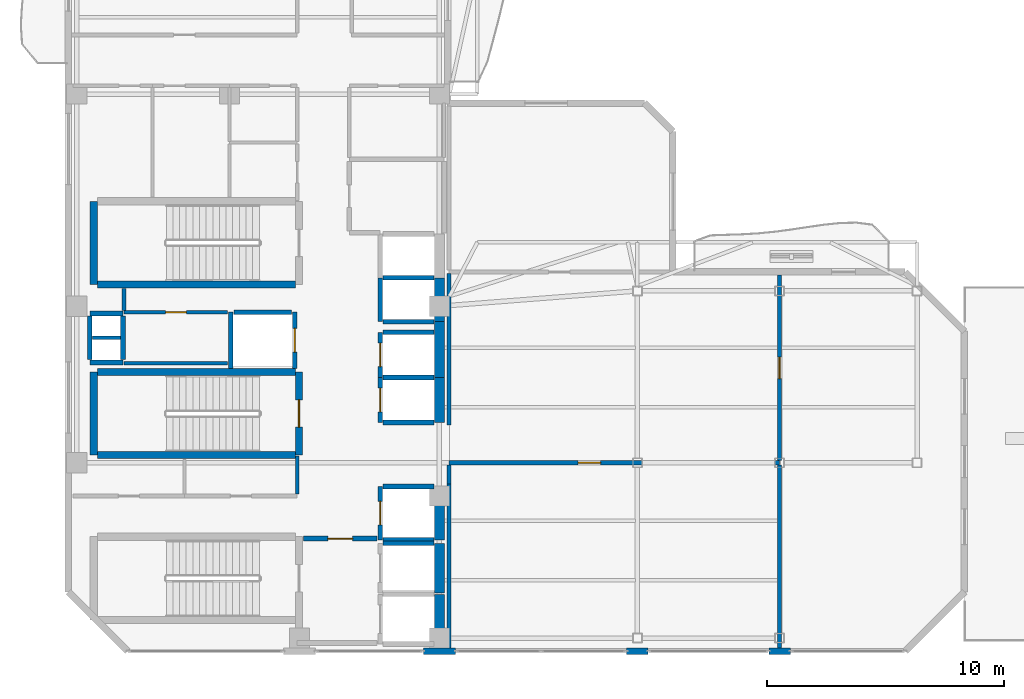
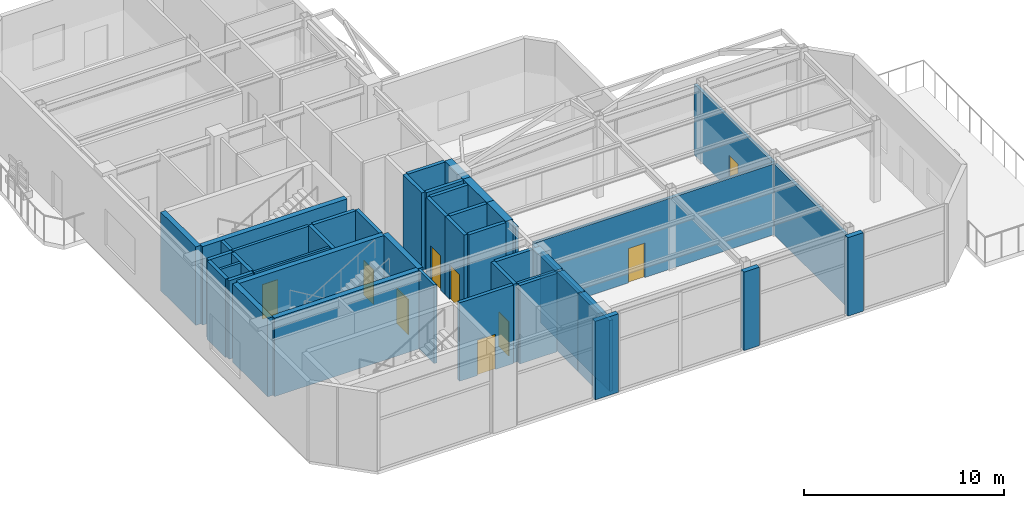
# One storey, part 9 of 14: 46 walls, 9 doors, 9 openings.
"""IFC4 building model written with IfcOpenShell, lengths in metres."""

from ifc_helpers import new_model, si_unit, direction, frame, frame_2d, origin, place, context, subcontext, project, spatial, rectangle, extrude, material, layer, layer_set, type_object, element, fill, save


model = new_model("IFC4")

# Units and contexts
model_context = context("Model", 3, precision=1e-05, world=origin(), true_north=direction((0.0, 1.0)))
body_context = subcontext(model_context, "Body", "Model", "MODEL_VIEW")
ifc_project = project(units=[si_unit("LENGTHUNIT", "METRE"), si_unit("AREAUNIT", "SQUARE_METRE"), si_unit("VOLUMEUNIT", "CUBIC_METRE"), si_unit("PLANEANGLEUNIT", "RADIAN"), si_unit("MASSUNIT", "GRAM", prefix="KILO")], contexts=[model_context])

# Site, building, storey
site_placement = place(None, origin())
site = spatial("IfcSite", under=ifc_project, at=site_placement, CompositionType="ELEMENT")
building_placement = place(site_placement, origin())
building = spatial("IfcBuilding", under=site, at=building_placement, Name="Mawjaban Terraces University", CompositionType="ELEMENT")
storey_placement = place(building_placement, frame((0.0, 0.0, 243.199951171875)))
storey = spatial("IfcBuildingStorey", under=building, at=storey_placement, Name="L59", CompositionType="ELEMENT", Elevation=243.199951171875)

# Wall, opening, door
ifc_material_1 = material(Name="Acoustic masonry blockwork", Category="masonry")
ifc_layer_1 = layer(ifc_material_1, 0.179931640625)
ifc_layer_set_1 = layer_set([ifc_layer_1], Name="Acoustic masonry blockwork")
wall_type_1 = type_object("IfcWallType", Name="AcousticStudioWall_180", PredefinedType="PARTITIONING", material=ifc_layer_set_1)
wall_1_placement = place(storey_placement, frame((38.050048828125, 7.949951171875, 0.0), z_axis=(0.0, 0.0, 1.0), x_axis=(1.0, 0.0, 0.0)))
wall_1 = element("IfcWall", 1, at=wall_1_placement, inside=storey, type_object=wall_type_1, Name="L59 Transfer Sky Lobby Concourse Partition 18", PredefinedType="PARTITIONING", context=body_context, shape_type="SweptSolid", body=[
    extrude(rectangle(XDim=13.949951171875, YDim=0.179931640625, at=frame_2d((6.97509765625, 0.0))), origin(), (0.0, 0.0, 1.0), 4.3271484375),
])
opening_1_placement = place(wall_1_placement, frame((5.449951171875, 0.0, 0.0)))
opening_1 = element("IfcOpeningElement", 2, at=opening_1_placement, cuts=wall_1, Name="Opening ID-095", PredefinedType="OPENING", context=body_context, shape_type="SweptSolid", body=[
    extrude(rectangle(XDim=0.949951171875, YDim=2.10009765625, at=frame_2d((0.47509765625, 1.050048828125))), frame((0.0, 0.099853515625, 0.0), z_axis=(0.0, -1.0, 0.0), x_axis=(1.0, 0.0, 0.0)), (0.0, 0.0, 1.0), 0.199951171875),
])
ifc_material_2 = material(Name="Powder-coated steel frame and solid acoustic timber leaf", Category="steel")
door_type_1 = type_object("IfcDoorType", Name="StudioDoor_950x2100", OperationType="NOTDEFINED", PredefinedType="DOOR", material=ifc_material_2)
door_1_placement = place(opening_1_placement, origin())
door_1 = element("IfcDoor", 3, at=door_1_placement, inside=storey, type_object=door_type_1, Name="L59 Data Visualization Studio Door", OperationType="SINGLE_SWING_RIGHT", OverallHeight=2.10009765625, OverallWidth=0.949951171875, PredefinedType="DOOR", context=body_context, shape_type="SweptSolid", body=[
    extrude(rectangle(XDim=0.949951171875, YDim=2.10009765625, at=frame_2d((0.47509765625, 1.050048828125))), frame((0.0, 0.02490234375, 0.0), z_axis=(0.0, -1.0, 0.0), x_axis=(1.0, 0.0, 0.0)), (0.0, 0.0, 1.0), 0.050048828125),
])
fill(opening_1, door_1)

# Walls
wall_2_placement = place(storey_placement, frame((38.050048828125, 7.050048828125, 0.0), z_axis=(0.0, 0.0, 1.0), x_axis=(0.0, 1.0, 0.0)))
element("IfcWall", 4, at=wall_2_placement, inside=storey, type_object=wall_type_1, Name="L59 Core Stair and Lift Lobby East Partition 36", PredefinedType="PARTITIONING", context=body_context, shape_type="SweptSolid", body=[
    extrude(rectangle(XDim=0.81494140625, YDim=0.179931640625, at=frame_2d((0.407470703125, 0.0))), origin(), (0.0, 0.0, 1.0), 4.3271484375),
])
wall_3_placement = place(storey_placement, frame((38.050048828125, 7.050048828125, 0.0), z_axis=(0.0, 0.0, 1.0), x_axis=(0.0, -1.0, 0.0)))
element("IfcWall", 5, at=wall_3_placement, inside=storey, type_object=wall_type_1, Name="L59 Data Visualization Studio Partition 37", PredefinedType="PARTITIONING", context=body_context, shape_type="SweptSolid", body=[
    extrude(rectangle(XDim=6.9169921875, YDim=0.179931640625, at=frame_2d((3.45849609375, 0.0))), origin(), (0.0, 0.0, 1.0), 4.3271484375),
])
wall_4_placement = place(storey_placement, frame((52.0, 7.864990234375, 0.0), z_axis=(0.0, 0.0, 1.0), x_axis=(0.0, -1.0, 0.0)))
element("IfcWall", 6, at=wall_4_placement, inside=storey, type_object=wall_type_1, Name="L59 Upper Research Sky Commons Partition 40", PredefinedType="PARTITIONING", context=body_context, shape_type="SweptSolid", body=[
    extrude(rectangle(XDim=7.73193359375, YDim=0.179931640625, at=frame_2d((3.865966796875, 0.0))), origin(), (0.0, 0.0, 1.0), 4.3271484375),
])
ifc_material_3 = material(Name="Concrete C50/60", Category="concrete")
ifc_layer_2 = layer(ifc_material_3, 0.419921875)
ifc_layer_set_2 = layer_set([ifc_layer_2], Name="Concrete C50/60")
wall_type_2 = type_object("IfcWallType", Name="CoreShearWall_420", PredefinedType="SHEAR", material=ifc_layer_set_2)
wall_5_placement = place(storey_placement, frame((37.659912109375, 0.300048828125, 0.0), z_axis=(0.0, 0.0, 1.0), x_axis=(0.0, 1.0, 0.0)))
element("IfcWall", 7, at=wall_5_placement, inside=storey, type_object=wall_type_2, Name="L59 Lift FL-1 Hoistway Wall East", PredefinedType="SHEAR", context=body_context, shape_type="SweptSolid", body=[
    extrude(rectangle(XDim=2.099853515625, YDim=0.419921875, at=frame_2d((1.0498046875, 0.0))), origin(), (0.0, 0.0, 1.0), 4.7900390625),
])
wall_6_placement = place(storey_placement, frame((37.659912109375, 2.449951171875, 0.0), z_axis=(0.0, 0.0, 1.0), x_axis=(0.0, 1.0, 0.0)))
element("IfcWall", 8, at=wall_6_placement, inside=storey, type_object=wall_type_2, Name="L59 Lift FL-2 Hoistway Wall East", PredefinedType="SHEAR", context=body_context, shape_type="SweptSolid", body=[
    extrude(rectangle(XDim=2.10009765625, YDim=0.419921875, at=frame_2d((1.050048828125, 0.0))), origin(), (0.0, 0.0, 1.0), 4.7900390625),
])
wall_7_placement = place(storey_placement, frame((37.659912109375, 4.699951171875, 0.0), z_axis=(0.0, 0.0, 1.0), x_axis=(0.0, 1.0, 0.0)))
element("IfcWall", 9, at=wall_7_placement, inside=storey, type_object=wall_type_2, Name="L59 Lift SL-1 Hoistway Wall East", PredefinedType="SHEAR", context=body_context, shape_type="SweptSolid", body=[
    extrude(rectangle(XDim=2.25, YDim=0.419921875, at=frame_2d((1.125, 0.0))), origin(), (0.0, 0.0, 1.0), 4.7900390625),
])
wall_8_placement = place(storey_placement, frame((37.659912109375, 9.64990234375, 0.0), z_axis=(0.0, 0.0, 1.0), x_axis=(0.0, 1.0, 0.0)))
element("IfcWall", 10, at=wall_8_placement, inside=storey, type_object=wall_type_2, Name="L59 Lift PL-H1 Hoistway Wall East", PredefinedType="SHEAR", context=body_context, shape_type="SweptSolid", body=[
    extrude(rectangle(XDim=1.900146484375, YDim=0.419921875, at=frame_2d((0.9501953125, 0.0))), origin(), (0.0, 0.0, 1.0), 4.7900390625),
])
wall_9_placement = place(storey_placement, frame((37.659912109375, 11.550048828125, 0.0), z_axis=(0.0, 0.0, 1.0), x_axis=(0.0, 1.0, 0.0)))
element("IfcWall", 11, at=wall_9_placement, inside=storey, type_object=wall_type_2, Name="L59 Lift PL-H2 Hoistway Wall East", PredefinedType="SHEAR", context=body_context, shape_type="SweptSolid", body=[
    extrude(rectangle(XDim=2.349853515625, YDim=0.419921875, at=frame_2d((1.1748046875, 0.0))), origin(), (0.0, 0.0, 1.0), 4.7900390625),
])
wall_10_placement = place(storey_placement, frame((37.659912109375, 13.89990234375, 0.0), z_axis=(0.0, 0.0, 1.0), x_axis=(0.0, 1.0, 0.0)))
element("IfcWall", 12, at=wall_10_placement, inside=storey, type_object=wall_type_2, Name="L59 Lift OL-1 Hoistway Wall East", PredefinedType="SHEAR", context=body_context, shape_type="SweptSolid", body=[
    extrude(rectangle(XDim=1.85009765625, YDim=0.419921875, at=frame_2d((0.925048828125, 0.0))), origin(), (0.0, 0.0, 1.0), 4.7900390625),
])

# Wall, opening, door
ifc_material_4 = material(Name="Fire-rated gypsum board on steel stud", Category="steel")
ifc_layer_3 = layer(ifc_material_4, 0.159912109375)
ifc_layer_set_3 = layer_set([ifc_layer_3], Name="Fire-rated gypsum board on steel stud")
wall_type_3 = type_object("IfcWallType", Name="CorridorPartition_160", PredefinedType="PARTITIONING", material=ifc_layer_set_3)
wall_11_placement = place(storey_placement, frame((24.35009765625, 14.300048828125, 0.0), z_axis=(0.0, 0.0, 1.0), x_axis=(1.0, 0.0, 0.0)))
wall_11 = element("IfcWall", 13, at=wall_11_placement, inside=storey, type_object=wall_type_3, Name="L59 Core Riser Access Passage Partition 2", PredefinedType="PARTITIONING", context=body_context, shape_type="SweptSolid", body=[
    extrude(rectangle(XDim=4.369873046875, YDim=0.159912109375, at=frame_2d((2.18505859375, 0.0))), origin(), (0.0, 0.0, 1.0), 4.7900390625),
])
opening_2_placement = place(wall_11_placement, frame((1.7451171875, 0.0, 0.0)))
opening_2 = element("IfcOpeningElement", 14, at=opening_2_placement, cuts=wall_11, Name="Opening ID-088", PredefinedType="OPENING", context=body_context, shape_type="SweptSolid", body=[
    extrude(rectangle(XDim=0.8798828125, YDim=2.10009765625, at=frame_2d((0.43994140625, 1.050048828125))), frame((0.0, 0.08984375, 0.0), z_axis=(0.0, -1.0, 0.0), x_axis=(1.0, 0.0, 0.0)), (0.0, 0.0, 1.0), 0.179931640625),
])
door_type_2 = type_object("IfcDoorType", Name="ToiletDoor_880x2100", OperationType="NOTDEFINED", PredefinedType="DOOR", material=ifc_material_2)
door_2_placement = place(opening_2_placement, origin())
door_2 = element("IfcDoor", 15, at=door_2_placement, inside=storey, type_object=door_type_2, Name="L59 Ablution Room Door", OperationType="SINGLE_SWING_RIGHT", OverallHeight=2.10009765625, OverallWidth=0.8798828125, PredefinedType="DOOR", context=body_context, shape_type="SweptSolid", body=[
    extrude(rectangle(XDim=0.8798828125, YDim=2.10009765625, at=frame_2d((0.43994140625, 1.050048828125))), frame((0.0, 0.02490234375, 0.0), z_axis=(0.0, -1.0, 0.0), x_axis=(1.0, 0.0, 0.0)), (0.0, 0.0, 1.0), 0.050048828125),
])
fill(opening_2, door_2)

# Walls
wall_12_placement = place(storey_placement, frame((24.35009765625, 15.2900390625, 0.0), z_axis=(0.0, 0.0, 1.0), x_axis=(0.0, -1.0, 0.0)))
element("IfcWall", 16, at=wall_12_placement, inside=storey, type_object=wall_type_3, Name="L59 Core Riser Access Passage Partition 20", PredefinedType="PARTITIONING", context=body_context, shape_type="SweptSolid", body=[
    extrude(rectangle(XDim=0.9150390625, YDim=0.159912109375, at=frame_2d((0.45751953125, 0.0))), origin(), (0.0, 0.0, 1.0), 4.7900390625),
])
wall_13_placement = place(storey_placement, frame((31.64990234375, 8.239990234375, 0.0), z_axis=(0.0, 0.0, 1.0), x_axis=(0.0, -1.0, 0.0)))
element("IfcWall", 17, at=wall_13_placement, inside=storey, type_object=wall_type_3, Name="L59 High-Rise Lift Lobby Partition 25", PredefinedType="PARTITIONING", context=body_context, shape_type="SweptSolid", body=[
    extrude(rectangle(XDim=1.614990234375, YDim=0.159912109375, at=frame_2d((0.8076171875, 0.0))), origin(), (0.0, 0.0, 1.0), 4.7900390625),
])
wall_14_placement = place(storey_placement, frame((38.050048828125, 15.925048828125, 0.0), z_axis=(0.0, 0.0, 1.0), x_axis=(0.0, -1.0, 0.0)))
element("IfcWall", 18, at=wall_14_placement, inside=storey, type_object=wall_type_3, Name="L59 Transfer Sky Lobby Concourse Partition 38", PredefinedType="PARTITIONING", context=body_context, shape_type="SweptSolid", body=[
    extrude(rectangle(XDim=6.375, YDim=0.159912109375, at=frame_2d((3.1875, 0.0))), origin(), (0.0, 0.0, 1.0), 4.3271484375),
])

# Wall, opening, door
wall_15_placement = place(storey_placement, frame((52.0, 8.034912109375, 0.0), z_axis=(0.0, 0.0, 1.0), x_axis=(0.0, 1.0, 0.0)))
wall_15 = element("IfcWall", 19, at=wall_15_placement, inside=storey, type_object=wall_type_3, Name="L59 Transfer Sky Lobby Concourse Partition 41", PredefinedType="PARTITIONING", context=body_context, shape_type="SweptSolid", body=[
    extrude(rectangle(XDim=7.83203125, YDim=0.159912109375, at=frame_2d((3.916015625, 0.0))), origin(), (0.0, 0.0, 1.0), 4.3271484375),
])
opening_3_placement = place(wall_15_placement, frame((3.466064453125, 0.0, 0.0)))
opening_3 = element("IfcOpeningElement", 20, at=opening_3_placement, cuts=wall_15, Name="Opening ID-090", PredefinedType="OPENING", context=body_context, shape_type="SweptSolid", body=[
    extrude(rectangle(XDim=0.89990234375, YDim=2.10009765625, at=frame_2d((0.449951171875, 1.050048828125))), frame((0.0, 0.08984375, 0.0), z_axis=(0.0, -1.0, 0.0), x_axis=(1.0, 0.0, 0.0)), (0.0, 0.0, 1.0), 0.179931640625),
])
door_type_3 = type_object("IfcDoorType", Name="OfficeDoor_900x2100", OperationType="NOTDEFINED", PredefinedType="DOOR", material=ifc_material_2)
door_3_placement = place(opening_3_placement, origin())
door_3 = element("IfcDoor", 21, at=door_3_placement, inside=storey, type_object=door_type_3, Name="L59 Upper Research Sky Commons Door", OperationType="SINGLE_SWING_LEFT", OverallHeight=2.10009765625, OverallWidth=0.89990234375, PredefinedType="DOOR", context=body_context, shape_type="SweptSolid", body=[
    extrude(rectangle(XDim=0.89990234375, YDim=2.10009765625, at=frame_2d((0.449951171875, 1.050048828125))), frame((0.0, 0.02490234375, 0.0), z_axis=(0.0, -1.0, 0.0), x_axis=(1.0, 0.0, 0.0)), (0.0, 0.0, 1.0), 0.050048828125),
])
fill(opening_3, door_3)

# Walls
ifc_material_5 = material(Name="Insulated terracotta rainscreen on concrete backup C40/50", Category="masonry")
ifc_layer_4 = layer(ifc_material_5, 0.27490234375)
ifc_layer_set_4 = layer_set([ifc_layer_4], Name="Insulated terracotta rainscreen on concrete backup C40/50")
wall_type_4 = type_object("IfcWallType", Name="ExtTerracottaWall_275", PredefinedType="SOLIDWALL", material=ifc_layer_set_4)
wall_16_placement = place(storey_placement, frame((36.97509765625, 0.0, 0.0), z_axis=(0.0, 0.0, 1.0), x_axis=(1.0, 0.0, 0.0)))
element("IfcWall", 22, at=wall_16_placement, inside=storey, type_object=wall_type_4, Name="L59 Exterior Terracotta Pier Wall 1.2", PredefinedType="SOLIDWALL", context=body_context, shape_type="SweptSolid", body=[
    extrude(rectangle(XDim=1.349853515625, YDim=0.27490234375, at=frame_2d((0.6748046875, 0.0))), origin(), (0.0, 0.0, 1.0), 4.7900390625),
])
for number, where, z_axis, x_axis, name in (
    (23, (45.550048828125, 0.0, 0.0), (0.0, 0.0, 1.0), (1.0, 0.0, 0.0), "L59 Exterior Terracotta Pier Wall 1.3"),
    (24, (51.550048828125, 0.0, 0.0), (0.0, 0.0, 1.0), (1.0, 0.0, 0.0), "L59 Exterior Terracotta Pier Wall 1.4"),
):
    element("IfcWall", number, at=place(storey_placement, frame(where, z_axis=z_axis, x_axis=x_axis)), inside=storey, type_object=wall_type_4, Name=name, PredefinedType="SOLIDWALL", context=body_context, shape_type="SweptSolid", body=[
        extrude(rectangle(XDim=0.89990234375, YDim=0.27490234375, at=frame_2d((0.449951171875, 0.0))), origin(), (0.0, 0.0, 1.0), 4.7900390625),
    ])
ifc_material_6 = material(Name="Concrete C40/50", Category="concrete")
ifc_layer_5 = layer(ifc_material_6, 0.199951171875)
ifc_layer_set_5 = layer_set([ifc_layer_5], Name="Concrete C40/50")
wall_type_5 = type_object("IfcWallType", Name="FireLobbyWall_200", PredefinedType="SOLIDWALL", material=ifc_layer_set_5)
wall_17_placement = place(storey_placement, frame((37.419921875, 4.550048828125, 0.0), z_axis=(0.0, 0.0, 1.0), x_axis=(-1.0, 0.0, 0.0)))
element("IfcWall", 25, at=wall_17_placement, inside=storey, type_object=wall_type_5, Name="L59 Lift FL-2 Hoistway Wall North", PredefinedType="SOLIDWALL", context=body_context, shape_type="SweptSolid", body=[
    extrude(rectangle(XDim=2.139892578125, YDim=0.199951171875, at=frame_2d((1.06982421875, 0.0))), origin(), (0.0, 0.0, 1.0), 4.7900390625),
])

# Wall, opening, door
wall_18_placement = place(storey_placement, frame((35.14990234375, 6.949951171875, 0.0), z_axis=(0.0, 0.0, 1.0), x_axis=(0.0, -1.0, 0.0)))
wall_18 = element("IfcWall", 26, at=wall_18_placement, inside=storey, type_object=wall_type_5, Name="L59 Lift SL-1 Hoistway Wall West", PredefinedType="SOLIDWALL", context=body_context, shape_type="SweptSolid", body=[
    extrude(rectangle(XDim=2.25, YDim=0.199951171875, at=frame_2d((1.125, 0.0))), origin(), (0.0, 0.0, 1.0), 4.7900390625),
])
opening_4_placement = place(wall_18_placement, frame((0.625, 0.0, 0.0)))
opening_4 = element("IfcOpeningElement", 27, at=opening_4_placement, cuts=wall_18, Name="Opening LD-SL-1", PredefinedType="OPENING", context=body_context, shape_type="SweptSolid", body=[
    extrude(rectangle(XDim=1.0, YDim=2.10009765625, at=frame_2d((0.5, 1.050048828125))), frame((0.0, 0.10986328125, 0.0), z_axis=(0.0, -1.0, 0.0), x_axis=(1.0, 0.0, 0.0)), (0.0, 0.0, 1.0), 0.219970703125),
])
ifc_material_7 = material(Name="Powder-coated steel frame and fire-rated steel-faced leaf", Category="steel")
door_type_4 = type_object("IfcDoorType", Name="LiftLandingSliding_1000x2100", OperationType="NOTDEFINED", PredefinedType="DOOR", material=ifc_material_7)
door_4_placement = place(opening_4_placement, origin())
door_4 = element("IfcDoor", 28, at=door_4_placement, inside=storey, type_object=door_type_4, Name="L59 Lift SL-1 Sliding Landing Door", OperationType="DOUBLE_DOOR_SLIDING", OverallHeight=2.10009765625, OverallWidth=1.0, PredefinedType="DOOR", context=body_context, shape_type="SweptSolid", body=[
    extrude(rectangle(XDim=1.0, YDim=2.10009765625, at=frame_2d((0.5, 1.050048828125))), frame((0.0, 0.02490234375, 0.0), z_axis=(0.0, -1.0, 0.0), x_axis=(1.0, 0.0, 0.0)), (0.0, 0.0, 1.0), 0.050048828125),
])
fill(opening_4, door_4)

# Walls
for number, where, z_axis, x_axis, name in (
    (29, (35.280029296875, 4.699951171875, 0.0), (0.0, 0.0, 1.0), (1.0, 0.0, 0.0), "L59 Lift SL-1 Hoistway Wall South"),
    (30, (37.419921875, 6.949951171875, 0.0), (0.0, 0.0, 1.0), (-1.0, 0.0, 0.0), "L59 Lift SL-1 Hoistway Wall North"),
):
    element("IfcWall", number, at=place(storey_placement, frame(where, z_axis=z_axis, x_axis=x_axis)), inside=storey, type_object=wall_type_5, Name=name, PredefinedType="SOLIDWALL", context=body_context, shape_type="SweptSolid", body=[
        extrude(rectangle(XDim=2.139892578125, YDim=0.199951171875, at=frame_2d((1.06982421875, 0.0))), origin(), (0.0, 0.0, 1.0), 4.7900390625),
    ])

# Wall, opening, door
wall_19_placement = place(storey_placement, frame((35.14990234375, 11.550048828125, 0.0), z_axis=(0.0, 0.0, 1.0), x_axis=(0.0, -1.0, 0.0)))
wall_19 = element("IfcWall", 31, at=wall_19_placement, inside=storey, type_object=wall_type_5, Name="L59 Lift PL-H1 Hoistway Wall West", PredefinedType="SOLIDWALL", context=body_context, shape_type="SweptSolid", body=[
    extrude(rectangle(XDim=1.900146484375, YDim=0.199951171875, at=frame_2d((0.9501953125, 0.0))), origin(), (0.0, 0.0, 1.0), 4.7900390625),
])
opening_5_placement = place(wall_19_placement, frame((0.449951171875, 0.0, 0.0)))
opening_5 = element("IfcOpeningElement", 32, at=opening_5_placement, cuts=wall_19, Name="Opening LD-PL-H1", PredefinedType="OPENING", context=body_context, shape_type="SweptSolid", body=[
    extrude(rectangle(XDim=1.0, YDim=2.10009765625, at=frame_2d((0.5, 1.050048828125))), frame((0.0, 0.10986328125, 0.0), z_axis=(0.0, -1.0, 0.0), x_axis=(1.0, 0.0, 0.0)), (0.0, 0.0, 1.0), 0.219970703125),
])
door_5_placement = place(opening_5_placement, origin())
door_5 = element("IfcDoor", 33, at=door_5_placement, inside=storey, type_object=door_type_4, Name="L59 Lift PL-H1 Sliding Landing Door", OperationType="DOUBLE_DOOR_SLIDING", OverallHeight=2.10009765625, OverallWidth=1.0, PredefinedType="DOOR", context=body_context, shape_type="SweptSolid", body=[
    extrude(rectangle(XDim=1.0, YDim=2.10009765625, at=frame_2d((0.5, 1.050048828125))), frame((0.0, 0.02490234375, 0.0), z_axis=(0.0, -1.0, 0.0), x_axis=(1.0, 0.0, 0.0)), (0.0, 0.0, 1.0), 0.050048828125),
])
fill(opening_5, door_5)

# Walls
for number, where, z_axis, x_axis, name in (
    (34, (35.280029296875, 9.64990234375, 0.0), (0.0, 0.0, 1.0), (1.0, 0.0, 0.0), "L59 Lift PL-H1 Hoistway Wall South"),
    (35, (37.419921875, 11.550048828125, 0.0), (0.0, 0.0, 1.0), (-1.0, 0.0, 0.0), "L59 Lift PL-H1 Hoistway Wall North"),
):
    element("IfcWall", number, at=place(storey_placement, frame(where, z_axis=z_axis, x_axis=x_axis)), inside=storey, type_object=wall_type_5, Name=name, PredefinedType="SOLIDWALL", context=body_context, shape_type="SweptSolid", body=[
        extrude(rectangle(XDim=2.139892578125, YDim=0.199951171875, at=frame_2d((1.06982421875, 0.0))), origin(), (0.0, 0.0, 1.0), 4.7900390625),
    ])

# Wall, opening, door
wall_20_placement = place(storey_placement, frame((35.14990234375, 13.449951171875, 0.0), z_axis=(0.0, 0.0, 1.0), x_axis=(0.0, -1.0, 0.0)))
wall_20 = element("IfcWall", 36, at=wall_20_placement, inside=storey, type_object=wall_type_5, Name="L59 Lift PL-H2 Hoistway Wall West", PredefinedType="SOLIDWALL", context=body_context, shape_type="SweptSolid", body=[
    extrude(rectangle(XDim=1.89990234375, YDim=0.199951171875, at=frame_2d((0.949951171875, 0.0))), origin(), (0.0, 0.0, 1.0), 4.7900390625),
])
opening_6_placement = place(wall_20_placement, frame((0.449951171875, 0.0, 0.0)))
opening_6 = element("IfcOpeningElement", 37, at=opening_6_placement, cuts=wall_20, Name="Opening LD-PL-H2", PredefinedType="OPENING", context=body_context, shape_type="SweptSolid", body=[
    extrude(rectangle(XDim=1.0, YDim=2.10009765625, at=frame_2d((0.5, 1.050048828125))), frame((0.0, 0.10986328125, 0.0), z_axis=(0.0, -1.0, 0.0), x_axis=(1.0, 0.0, 0.0)), (0.0, 0.0, 1.0), 0.219970703125),
])
door_6_placement = place(opening_6_placement, origin())
door_6 = element("IfcDoor", 38, at=door_6_placement, inside=storey, type_object=door_type_4, Name="L59 Lift PL-H2 Sliding Landing Door", OperationType="DOUBLE_DOOR_SLIDING", OverallHeight=2.10009765625, OverallWidth=1.0, PredefinedType="DOOR", context=body_context, shape_type="SweptSolid", body=[
    extrude(rectangle(XDim=1.0, YDim=2.10009765625, at=frame_2d((0.5, 1.050048828125))), frame((0.0, 0.02490234375, 0.0), z_axis=(0.0, -1.0, 0.0), x_axis=(1.0, 0.0, 0.0)), (0.0, 0.0, 1.0), 0.050048828125),
])
fill(opening_6, door_6)

# Walls
wall_21_placement = place(storey_placement, frame((37.419921875, 13.449951171875, 0.0), z_axis=(0.0, 0.0, 1.0), x_axis=(-1.0, 0.0, 0.0)))
element("IfcWall", 39, at=wall_21_placement, inside=storey, type_object=wall_type_5, Name="L59 Lift PL-H2 Hoistway Wall North", PredefinedType="SOLIDWALL", context=body_context, shape_type="SweptSolid", body=[
    extrude(rectangle(XDim=2.139892578125, YDim=0.199951171875, at=frame_2d((1.06982421875, 0.0))), origin(), (0.0, 0.0, 1.0), 4.7900390625),
])
wall_22_placement = place(storey_placement, frame((28.85009765625, 14.300048828125, 0.0), z_axis=(0.0, 0.0, 1.0), x_axis=(0.0, -1.0, 0.0)))
element("IfcWall", 40, at=wall_22_placement, inside=storey, type_object=wall_type_5, Name="L59 Lift PL-H3 Hoistway Wall West", PredefinedType="SOLIDWALL", context=body_context, shape_type="SweptSolid", body=[
    extrude(rectangle(XDim=2.3701171875, YDim=0.199951171875, at=frame_2d((1.18505859375, 0.0))), origin(), (0.0, 0.0, 1.0), 4.7900390625),
])

# Wall, opening, door
wall_23_placement = place(storey_placement, frame((31.550048828125, 11.929931640625, 0.0), z_axis=(0.0, 0.0, 1.0), x_axis=(0.0, 1.0, 0.0)))
wall_23 = element("IfcWall", 41, at=wall_23_placement, inside=storey, type_object=wall_type_5, Name="L59 Lift PL-H3 Hoistway Wall East", PredefinedType="SOLIDWALL", context=body_context, shape_type="SweptSolid", body=[
    extrude(rectangle(XDim=2.3701171875, YDim=0.199951171875, at=frame_2d((1.18505859375, 0.0))), origin(), (0.0, 0.0, 1.0), 4.7900390625),
])
opening_7_placement = place(wall_23_placement, frame((0.68505859375, 0.0, 0.0)))
opening_7 = element("IfcOpeningElement", 42, at=opening_7_placement, cuts=wall_23, Name="Opening LD-PL-H3", PredefinedType="OPENING", context=body_context, shape_type="SweptSolid", body=[
    extrude(rectangle(XDim=1.0, YDim=2.10009765625, at=frame_2d((0.5, 1.050048828125))), frame((0.0, 0.10986328125, 0.0), z_axis=(0.0, -1.0, 0.0), x_axis=(1.0, 0.0, 0.0)), (0.0, 0.0, 1.0), 0.219970703125),
])
door_7_placement = place(opening_7_placement, origin())
door_7 = element("IfcDoor", 43, at=door_7_placement, inside=storey, type_object=door_type_4, Name="L59 Lift PL-H3 Sliding Landing Door", OperationType="DOUBLE_DOOR_SLIDING", OverallHeight=2.10009765625, OverallWidth=1.0, PredefinedType="DOOR", context=body_context, shape_type="SweptSolid", body=[
    extrude(rectangle(XDim=1.0, YDim=2.10009765625, at=frame_2d((0.5, 1.050048828125))), frame((0.0, 0.02490234375, 0.0), z_axis=(0.0, -1.0, 0.0), x_axis=(1.0, 0.0, 0.0)), (0.0, 0.0, 1.0), 0.050048828125),
])
fill(opening_7, door_7)

# Walls
wall_24_placement = place(storey_placement, frame((31.419921875, 14.300048828125, 0.0), z_axis=(0.0, 0.0, 1.0), x_axis=(-1.0, 0.0, 0.0)))
element("IfcWall", 44, at=wall_24_placement, inside=storey, type_object=wall_type_5, Name="L59 Lift PL-H3 Hoistway Wall North", PredefinedType="SOLIDWALL", context=body_context, shape_type="SweptSolid", body=[
    extrude(rectangle(XDim=2.43994140625, YDim=0.199951171875, at=frame_2d((1.219970703125, 0.0))), origin(), (0.0, 0.0, 1.0), 4.7900390625),
])
wall_25_placement = place(storey_placement, frame((35.14990234375, 15.75, 0.0), z_axis=(0.0, 0.0, 1.0), x_axis=(0.0, -1.0, 0.0)))
element("IfcWall", 45, at=wall_25_placement, inside=storey, type_object=wall_type_5, Name="L59 Lift OL-1 Hoistway Wall West", PredefinedType="SOLIDWALL", context=body_context, shape_type="SweptSolid", body=[
    extrude(rectangle(XDim=1.85009765625, YDim=0.199951171875, at=frame_2d((0.925048828125, 0.0))), origin(), (0.0, 0.0, 1.0), 4.7900390625),
])
for number, where, z_axis, x_axis, name in (
    (46, (35.280029296875, 13.89990234375, 0.0), (0.0, 0.0, 1.0), (1.0, 0.0, 0.0), "L59 Lift OL-1 Hoistway Wall South"),
    (47, (37.419921875, 15.75, 0.0), (0.0, 0.0, 1.0), (-1.0, 0.0, 0.0), "L59 Lift OL-1 Hoistway Wall North"),
):
    element("IfcWall", number, at=place(storey_placement, frame(where, z_axis=z_axis, x_axis=x_axis)), inside=storey, type_object=wall_type_5, Name=name, PredefinedType="SOLIDWALL", context=body_context, shape_type="SweptSolid", body=[
        extrude(rectangle(XDim=2.139892578125, YDim=0.199951171875, at=frame_2d((1.06982421875, 0.0))), origin(), (0.0, 0.0, 1.0), 4.7900390625),
    ])
for number, where, z_axis, x_axis, name in (
    (48, (22.89990234375, 14.25, 0.0), (0.0, 0.0, 1.0), (1.0, 0.0, 0.0), "L59 MEP Riser Shaft Wall N"),
    (49, (22.89990234375, 12.179931640625, 0.0), (0.0, 0.0, 1.0), (1.0, 0.0, 0.0), "L59 MEP Riser Shaft Wall S"),
):
    element("IfcWall", number, at=place(storey_placement, frame(where, z_axis=z_axis, x_axis=x_axis)), inside=storey, type_object=wall_type_5, Name=name, PredefinedType="SOLIDWALL", context=body_context, shape_type="SweptSolid", body=[
        extrude(rectangle(XDim=1.400146484375, YDim=0.199951171875, at=frame_2d((0.7001953125, 0.0))), origin(), (0.0, 0.0, 1.0), 4.7900390625),
    ])
for number, where, z_axis, x_axis, name in (
    (50, (24.300048828125, 12.300048828125, 0.0), (0.0, 0.0, 1.0), (0.0, 1.0, 0.0), "L59 MEP Riser Shaft Wall E"),
    (51, (22.89990234375, 12.300048828125, 0.0), (0.0, 0.0, 1.0), (0.0, 1.0, 0.0), "L59 MEP Riser Shaft Wall W"),
):
    element("IfcWall", number, at=place(storey_placement, frame(where, z_axis=z_axis, x_axis=x_axis)), inside=storey, type_object=wall_type_5, Name=name, PredefinedType="SOLIDWALL", context=body_context, shape_type="SweptSolid", body=[
        extrude(rectangle(XDim=1.829833984375, YDim=0.199951171875, at=frame_2d((0.9150390625, 0.0))), origin(), (0.0, 0.0, 1.0), 4.7900390625),
    ])

# Wall, opening, door
wall_26_placement = place(storey_placement, frame((35.02001953125, 4.75, 0.0), z_axis=(0.0, 0.0, 1.0), x_axis=(-1.0, 0.0, 0.0)))
wall_26 = element("IfcWall", 52, at=wall_26_placement, inside=storey, type_object=wall_type_5, Name="L59 Firefighting Lift Lobby Partition 13", PredefinedType="SOLIDWALL", context=body_context, shape_type="SweptSolid", body=[
    extrude(rectangle(XDim=3.110107421875, YDim=0.199951171875, at=frame_2d((1.55517578125, 0.0))), origin(), (0.0, 0.0, 1.0), 4.7900390625),
])
opening_8_placement = place(wall_26_placement, frame((1.030029296875, 0.0, 0.0)))
opening_8 = element("IfcOpeningElement", 53, at=opening_8_placement, cuts=wall_26, Name="Opening FD-105", PredefinedType="OPENING", context=body_context, shape_type="SweptSolid", body=[
    extrude(rectangle(XDim=1.050048828125, YDim=2.14990234375, at=frame_2d((0.52490234375, 1.074951171875))), frame((0.0, 0.10986328125, 0.0), z_axis=(0.0, -1.0, 0.0), x_axis=(1.0, 0.0, 0.0)), (0.0, 0.0, 1.0), 0.219970703125),
])
door_type_5 = type_object("IfcDoorType", Name="FireLobbyDoor_1050x2150", OperationType="NOTDEFINED", PredefinedType="DOOR", material=ifc_material_7)
door_8_placement = place(opening_8_placement, origin())
door_8 = element("IfcDoor", 54, at=door_8_placement, inside=storey, type_object=door_type_5, Name="L59 Firefighting Lift Lobby Door", OperationType="SINGLE_SWING_LEFT", OverallHeight=2.14990234375, OverallWidth=1.050048828125, PredefinedType="DOOR", context=body_context, shape_type="SweptSolid", body=[
    extrude(rectangle(XDim=1.050048828125, YDim=2.14990234375, at=frame_2d((0.52490234375, 1.074951171875))), frame((0.0, 0.02490234375, 0.0), z_axis=(0.0, -1.0, 0.0), x_axis=(1.0, 0.0, 0.0)), (0.0, 0.0, 1.0), 0.050048828125),
])
fill(opening_8, door_8)

# Walls
ifc_material_8 = material(Name="Moisture-resistant gypsum board on steel stud", Category="steel")
ifc_layer_6 = layer(ifc_material_8, 0.14501953125)
ifc_layer_set_6 = layer_set([ifc_layer_6], Name="Moisture-resistant gypsum board on steel stud")
wall_type_6 = type_object("IfcWallType", Name="LabPartition_145", PredefinedType="PARTITIONING", material=ifc_layer_set_6)
wall_27_placement = place(storey_placement, frame((23.010009765625, 13.22509765625, 0.0), z_axis=(0.0, 0.0, 1.0), x_axis=(1.0, 0.0, 0.0)))
element("IfcWall", 55, at=wall_27_placement, inside=storey, type_object=wall_type_6, Name="L59 MEP Riser Shaft Wall M", PredefinedType="PARTITIONING", context=body_context, shape_type="SweptSolid", body=[
    extrude(rectangle(XDim=1.179931640625, YDim=0.14501953125, at=frame_2d((0.58984375, 0.0))), origin(), (0.0, 0.0, 1.0), 4.7900390625),
])
ifc_material_9 = material(Name="Concrete C60/75", Category="concrete")
ifc_layer_7 = layer(ifc_material_9, 0.300048828125)
ifc_layer_set_7 = layer_set([ifc_layer_7], Name="Concrete C60/75")
wall_type_7 = type_object("IfcWallType", Name="StairShaftWall_300", PredefinedType="SHEAR", material=ifc_layer_set_7)
wall_28_placement = place(storey_placement, frame((23.070068359375, 18.97998046875, 0.0), z_axis=(0.0, 0.0, 1.0), x_axis=(0.0, -1.0, 0.0)))
element("IfcWall", 56, at=wall_28_placement, inside=storey, type_object=wall_type_7, Name="L59 ST-2 Stair Shaft Wall 2", PredefinedType="SHEAR", context=body_context, shape_type="SweptSolid", body=[
    extrude(rectangle(XDim=3.510009765625, YDim=0.300048828125, at=frame_2d((1.7548828125, 0.0))), origin(), (0.0, 0.0, 1.0), 4.7900390625),
])
for number, where, z_axis, x_axis, name in (
    (57, (23.219970703125, 15.469970703125, 0.0), (0.0, 0.0, 1.0), (1.0, 0.0, 0.0), "L59 ST-2 Stair Shaft Wall 3"),
    (58, (31.580078125, 11.780029296875, 0.0), (0.0, 0.0, 1.0), (-1.0, 0.0, 0.0), "L59 ST-3 Stair Shaft Wall 1"),
):
    element("IfcWall", number, at=place(storey_placement, frame(where, z_axis=z_axis, x_axis=x_axis)), inside=storey, type_object=wall_type_7, Name=name, PredefinedType="SHEAR", context=body_context, shape_type="SweptSolid", body=[
        extrude(rectangle(XDim=8.360107421875, YDim=0.300048828125, at=frame_2d((4.18017578125, 0.0))), origin(), (0.0, 0.0, 1.0), 4.7900390625),
    ])
wall_29_placement = place(storey_placement, frame((23.070068359375, 11.780029296875, 0.0), z_axis=(0.0, 0.0, 1.0), x_axis=(0.0, -1.0, 0.0)))
element("IfcWall", 59, at=wall_29_placement, inside=storey, type_object=wall_type_7, Name="L59 ST-3 Stair Shaft Wall 2", PredefinedType="SHEAR", context=body_context, shape_type="SweptSolid", body=[
    extrude(rectangle(XDim=3.510009765625, YDim=0.300048828125, at=frame_2d((1.7548828125, 0.0))), origin(), (0.0, 0.0, 1.0), 4.7900390625),
])
wall_30_placement = place(storey_placement, frame((23.219970703125, 8.27001953125, 0.0), z_axis=(0.0, 0.0, 1.0), x_axis=(1.0, 0.0, 0.0)))
element("IfcWall", 60, at=wall_30_placement, inside=storey, type_object=wall_type_7, Name="L59 ST-3 Stair Shaft Wall 3", PredefinedType="SHEAR", context=body_context, shape_type="SweptSolid", body=[
    extrude(rectangle(XDim=8.360107421875, YDim=0.300048828125, at=frame_2d((4.18017578125, 0.0))), origin(), (0.0, 0.0, 1.0), 4.7900390625),
])

# Wall, opening, door
wall_31_placement = place(storey_placement, frame((31.72998046875, 8.27001953125, 0.0), z_axis=(0.0, 0.0, 1.0), x_axis=(0.0, 1.0, 0.0)))
wall_31 = element("IfcWall", 61, at=wall_31_placement, inside=storey, type_object=wall_type_7, Name="L59 ST-3 Stair Shaft Wall 4", PredefinedType="SHEAR", context=body_context, shape_type="SweptSolid", body=[
    extrude(rectangle(XDim=3.510009765625, YDim=0.300048828125, at=frame_2d((1.7548828125, 0.0))), origin(), (0.0, 0.0, 1.0), 4.7900390625),
])
opening_9_placement = place(wall_31_placement, frame((1.179931640625, 0.0, 0.0)))
opening_9 = element("IfcOpeningElement", 62, at=opening_9_placement, cuts=wall_31, Name="Opening FD-115", PredefinedType="OPENING", context=body_context, shape_type="SweptSolid", body=[
    extrude(rectangle(XDim=1.14990234375, YDim=2.14990234375, at=frame_2d((0.574951171875, 1.074951171875))), frame((0.0, 0.159912109375, 0.0), z_axis=(0.0, -1.0, 0.0), x_axis=(1.0, 0.0, 0.0)), (0.0, 0.0, 1.0), 0.320068359375),
])
door_type_6 = type_object("IfcDoorType", Name="FireStairDoor_1150x2150", OperationType="NOTDEFINED", PredefinedType="DOOR", material=ifc_material_7)
door_9_placement = place(opening_9_placement, origin())
door_9 = element("IfcDoor", 63, at=door_9_placement, inside=storey, type_object=door_type_6, Name="L59 ST-3 Pressurised Stair Fire Door", OperationType="SINGLE_SWING_RIGHT", OverallHeight=2.14990234375, OverallWidth=1.14990234375, PredefinedType="DOOR", context=body_context, shape_type="SweptSolid", body=[
    extrude(rectangle(XDim=1.14990234375, YDim=2.14990234375, at=frame_2d((0.574951171875, 1.074951171875))), frame((0.0, 0.02490234375, 0.0), z_axis=(0.0, -1.0, 0.0), x_axis=(1.0, 0.0, 0.0)), (0.0, 0.0, 1.0), 0.050048828125),
])
fill(opening_9, door_9)

# Wall
ifc_material_10 = material(Name="Cement-board wet-room partition", Category="masonry")
ifc_layer_8 = layer(ifc_material_10, 0.135009765625)
ifc_layer_set_8 = layer_set([ifc_layer_8], Name="Cement-board wet-room partition")
wall_type_8 = type_object("IfcWallType", Name="WetRoomPartition_135", PredefinedType="PARTITIONING", material=ifc_layer_set_8)
wall_32_placement = place(storey_placement, frame((24.35009765625, 12.14990234375, 0.0), z_axis=(0.0, 0.0, 1.0), x_axis=(1.0, 0.0, 0.0)))
element("IfcWall", 64, at=wall_32_placement, inside=storey, type_object=wall_type_8, Name="L59 Ablution Room Partition 1", PredefinedType="PARTITIONING", context=body_context, shape_type="SweptSolid", body=[
    extrude(rectangle(XDim=4.369873046875, YDim=0.135009765625, at=frame_2d((2.18505859375, 0.0))), origin(), (0.0, 0.0, 1.0), 4.7900390625),
])

save(model, "model.ifc")
